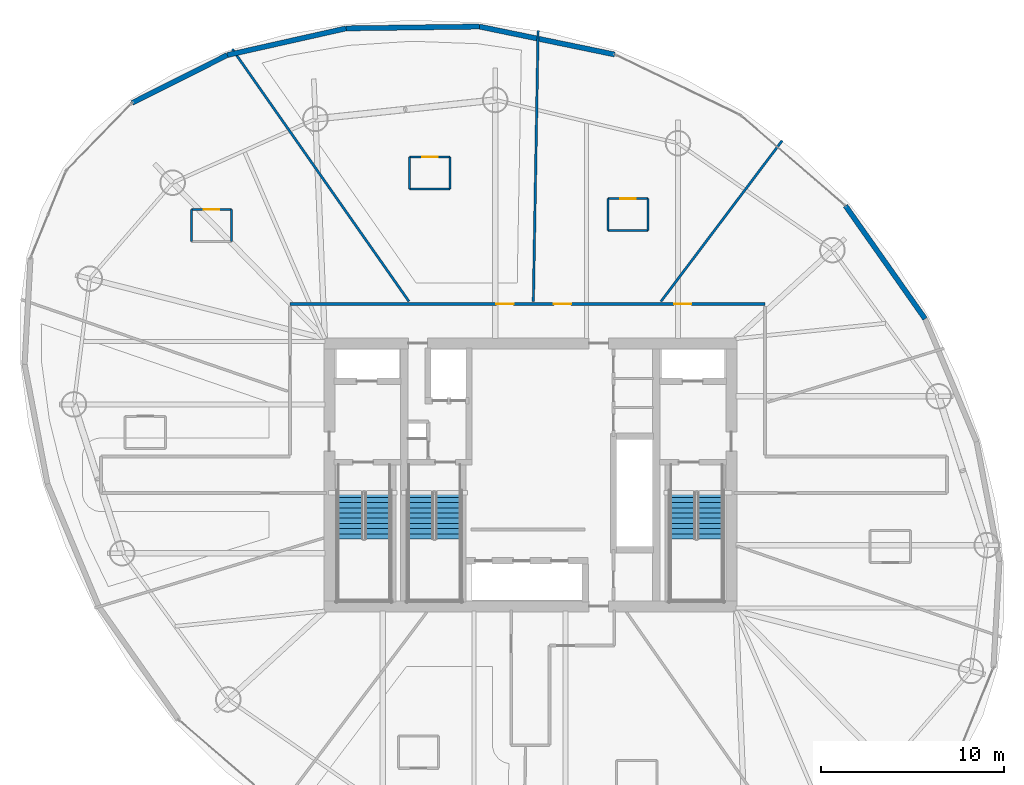
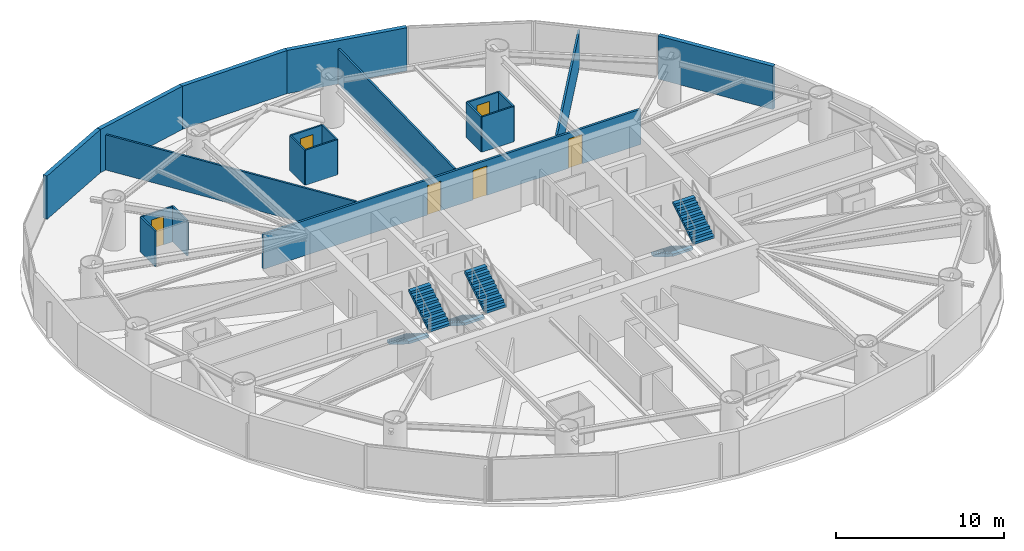
# One storey, part 18 of 21: 20 walls, 6 doors, 6 stair flights, 6 openings, 3 elements without a shape of their own.
"""IFC4 building model written with IfcOpenShell, lengths in metres."""

from ifc_helpers import new_model, si_unit, direction, frame, frame_2d, origin, place, context, subcontext, project, spatial, polyline, rectangle, outline, extrude, material, layer, layer_set, type_object, element, fill, aggregate, save


model = new_model("IFC4")

# Units and contexts
model_context = context("Model", 3, precision=1e-05, world=origin(), true_north=direction((0.0, 1.0)))
body_context = subcontext(model_context, "Body", "Model", "MODEL_VIEW")
ifc_project = project(units=[si_unit("LENGTHUNIT", "METRE"), si_unit("AREAUNIT", "SQUARE_METRE"), si_unit("VOLUMEUNIT", "CUBIC_METRE"), si_unit("PLANEANGLEUNIT", "RADIAN"), si_unit("MASSUNIT", "GRAM", prefix="KILO")], contexts=[model_context])

# Site, building, storey
site_placement = place(None, origin())
site = spatial("IfcSite", under=ifc_project, at=site_placement, CompositionType="ELEMENT")
building_placement = place(site_placement, origin())
building = spatial("IfcBuilding", under=site, at=building_placement, Name="Bramvorn Convention Spire", CompositionType="ELEMENT")
storey_placement = place(building_placement, frame((0.0, 0.0, 162.300048828125)))
storey = spatial("IfcBuildingStorey", under=building, at=storey_placement, Name="L41", CompositionType="ELEMENT", Elevation=162.300048828125)

# Walls
ifc_material_1 = material(Name="Precast Concrete C40/50 with Bronze Terracotta Rainscreen", Category="masonry")
ifc_layer_1 = layer(ifc_material_1, 0.300048828125)
ifc_layer_set_1 = layer_set([ifc_layer_1], Name="Precast Concrete C40/50 with Bronze Terracotta Rainscreen - WL-EXT-BRONZE-300")
wall_type_1 = type_object("IfcWallType", Name="WL-EXT-BRONZE-300", PredefinedType="SOLIDWALL", material=ifc_layer_set_1)
wall_1_placement = place(storey_placement, frame((55.25, 40.72509765625, 0.0), z_axis=(0.0, 0.0, 1.0), x_axis=(0.575733066799, -0.817637716715, 0.0)))
element("IfcWall", 1, at=wall_1_placement, inside=storey, type_object=wall_type_1, Name="L41 expressed bronze Gothic lancet pier wall 05", PredefinedType="SOLIDWALL", context=body_context, shape_type="SweptSolid", body=[
    extrude(rectangle(XDim=7.5693359375, YDim=0.280029296875, at=frame_2d((3.78466796875, 0.0))), origin(), (0.0, 0.0, 1.0), 3.14990234375),
])
wall_2_placement = place(storey_placement, frame((35.205078125, 50.535400390625, 0.0), z_axis=(0.0, 0.0, 1.0), x_axis=(0.979395914259, -0.201949605427, 0.0)))
element("IfcWall", 2, at=wall_2_placement, inside=storey, type_object=wall_type_1, Name="L41 expressed bronze Gothic lancet pier wall 08", PredefinedType="SOLIDWALL", context=body_context, shape_type="SweptSolid", body=[
    extrude(rectangle(XDim=7.569091796875, YDim=0.280029296875, at=frame_2d((3.78466796875, 0.0))), origin(), (0.0, 0.0, 1.0), 3.14990234375),
])
wall_3_placement = place(storey_placement, frame((27.913818359375, 50.4365234375, 0.0), z_axis=(0.0, 0.0, 1.0), x_axis=(0.999908061986, 0.013559777837, 0.0)))
element("IfcWall", 3, at=wall_3_placement, inside=storey, type_object=wall_type_1, Name="L41 expressed bronze Gothic lancet pier wall 09", PredefinedType="SOLIDWALL", context=body_context, shape_type="SweptSolid", body=[
    extrude(rectangle(XDim=7.2919921875, YDim=0.280029296875, at=frame_2d((3.64599609375, 0.0))), origin(), (0.0, 0.0, 1.0), 3.14990234375),
])
wall_4_placement = place(storey_placement, frame((21.410888671875, 48.9755859375, 0.0), z_axis=(0.0, 0.0, 1.0), x_axis=(0.975681090839, 0.219194910932, 0.0)))
element("IfcWall", 4, at=wall_4_placement, inside=storey, type_object=wall_type_1, Name="L41 expressed bronze Gothic lancet pier wall 10", PredefinedType="SOLIDWALL", context=body_context, shape_type="SweptSolid", body=[
    extrude(rectangle(XDim=6.6650390625, YDim=0.280029296875, at=frame_2d((3.33251953125, 0.0))), origin(), (0.0, 0.0, 1.0), 3.14990234375),
])
wall_5_placement = place(storey_placement, frame((16.209228515625, 46.358642578125, 0.0), z_axis=(0.0, 0.0, 1.0), x_axis=(0.893317552625, 0.449426023026, 0.0)))
element("IfcWall", 5, at=wall_5_placement, inside=storey, type_object=wall_type_1, Name="L41 expressed bronze Gothic lancet pier wall 11", PredefinedType="SOLIDWALL", context=body_context, shape_type="SweptSolid", body=[
    extrude(rectangle(XDim=5.82275390625, YDim=0.280029296875, at=frame_2d((2.911376953125, 0.0))), origin(), (0.0, 0.0, 1.0), 3.14990234375),
])
ifc_material_2 = material(Name="Lightweight En-Suite & Wet-Wall Partition", Category="gypsum")
ifc_layer_2 = layer(ifc_material_2, 0.110107421875)
ifc_layer_set_2 = layer_set([ifc_layer_2], Name="Lightweight En-Suite & Wet-Wall Partition - WL-PART-110")
wall_type_2 = type_object("IfcWallType", Name="WL-PART-110", PredefinedType="PARTITIONING", material=ifc_layer_set_2)
wall_6_placement = place(storey_placement, frame((42.23828125, 39.359619140625, 0.0), z_axis=(0.0, 0.0, 1.0), x_axis=(1.0, 0.0, 0.0)))
element("IfcWall", 6, at=wall_6_placement, inside=storey, type_object=wall_type_2, Name="Hotel Suite 4102 en-suite south wall", PredefinedType="PARTITIONING", context=body_context, shape_type="SweptSolid", body=[
    extrude(rectangle(XDim=2.199951171875, YDim=0.110107421875, at=frame_2d((1.10009765625, 0.0))), origin(), (0.0, 0.0, 1.0), 2.56494140625),
])

# Wall, opening, door
wall_7_placement = place(storey_placement, frame((42.23828125, 41.11962890625, 0.0), z_axis=(0.0, 0.0, 1.0), x_axis=(1.0, 0.0, 0.0)))
wall_7 = element("IfcWall", 7, at=wall_7_placement, inside=storey, type_object=wall_type_2, Name="Hotel Suite 4102 en-suite north wall", PredefinedType="PARTITIONING", context=body_context, shape_type="SweptSolid", body=[
    extrude(rectangle(XDim=2.199951171875, YDim=0.110107421875, at=frame_2d((1.10009765625, 0.0))), origin(), (0.0, 0.0, 1.0), 2.56494140625),
])
opening_1_placement = place(wall_7_placement, frame((0.679931640625, 0.0, 0.0)))
opening_1 = element("IfcOpeningElement", 8, at=opening_1_placement, cuts=wall_7, Name="Opening DI-085", PredefinedType="OPENING", context=body_context, shape_type="SweptSolid", body=[
    extrude(rectangle(XDim=0.85009765625, YDim=2.10009765625, at=frame_2d((0.425048828125, 1.050048828125))), frame((0.0, 0.06494140625, 0.0), z_axis=(0.0, -1.0, 0.0), x_axis=(1.0, 0.0, 0.0)), (0.0, 0.0, 1.0), 0.130126953125),
])
ifc_material_3 = material(Name="En-Suite & Restroom Privacy Door", Category="wood")
door_type_1 = type_object("IfcDoorType", Name="DR-INT-850", OperationType="NOTDEFINED", PredefinedType="DOOR", material=ifc_material_3)
door_1_placement = place(opening_1_placement, origin())
door_1 = element("IfcDoor", 9, at=door_1_placement, inside=storey, type_object=door_type_1, Name="Hotel Suite 4102 En-Suite Bathroom door", OperationType="SINGLE_SWING_LEFT", OverallHeight=2.10009765625, OverallWidth=0.85009765625, PredefinedType="DOOR", context=body_context, shape_type="SweptSolid", body=[
    extrude(rectangle(XDim=0.85009765625, YDim=2.10009765625, at=frame_2d((0.425048828125, 1.050048828125))), frame((0.0, 0.02490234375, 0.0), z_axis=(0.0, -1.0, 0.0), x_axis=(1.0, 0.0, 0.0)), (0.0, 0.0, 1.0), 0.050048828125),
])
fill(opening_1, door_1)

# Walls
for number, where, z_axis, x_axis, name in (
    (10, (42.23828125, 39.359619140625, 0.0), (0.0, 0.0, 1.0), (0.0, 1.0, 0.0), "Hotel Suite 4102 en-suite west wall"),
    (11, (44.438232421875, 39.359619140625, 0.0), (0.0, 0.0, 1.0), (0.0, 1.0, 0.0), "Hotel Suite 4102 en-suite east wall"),
):
    element("IfcWall", number, at=place(storey_placement, frame(where, z_axis=z_axis, x_axis=x_axis)), inside=storey, type_object=wall_type_2, Name=name, PredefinedType="PARTITIONING", context=body_context, shape_type="SweptSolid", body=[
        extrude(rectangle(XDim=1.760009765625, YDim=0.110107421875, at=frame_2d((0.8798828125, 0.0))), origin(), (0.0, 0.0, 1.0), 2.56494140625),
    ])
wall_8_placement = place(storey_placement, frame((31.393310546875, 41.638427734375, 0.0), z_axis=(0.0, 0.0, 1.0), x_axis=(1.0, 0.0, 0.0)))
element("IfcWall", 12, at=wall_8_placement, inside=storey, type_object=wall_type_2, Name="Hotel Suite 4103 en-suite south wall", PredefinedType="PARTITIONING", context=body_context, shape_type="SweptSolid", body=[
    extrude(rectangle(XDim=2.2001953125, YDim=0.110107421875, at=frame_2d((1.10009765625, 0.0))), origin(), (0.0, 0.0, 1.0), 2.56494140625),
])

# Wall, opening, door
wall_9_placement = place(storey_placement, frame((31.393310546875, 43.3984375, 0.0), z_axis=(0.0, 0.0, 1.0), x_axis=(1.0, 0.0, 0.0)))
wall_9 = element("IfcWall", 13, at=wall_9_placement, inside=storey, type_object=wall_type_2, Name="Hotel Suite 4103 en-suite north wall", PredefinedType="PARTITIONING", context=body_context, shape_type="SweptSolid", body=[
    extrude(rectangle(XDim=2.2001953125, YDim=0.110107421875, at=frame_2d((1.10009765625, 0.0))), origin(), (0.0, 0.0, 1.0), 2.56494140625),
])
opening_2_placement = place(wall_9_placement, frame((0.679931640625, 0.0, 0.0)))
opening_2 = element("IfcOpeningElement", 14, at=opening_2_placement, cuts=wall_9, Name="Opening DI-085", PredefinedType="OPENING", context=body_context, shape_type="SweptSolid", body=[
    extrude(rectangle(XDim=0.85009765625, YDim=2.10009765625, at=frame_2d((0.425048828125, 1.050048828125))), frame((0.0, 0.06494140625, 0.0), z_axis=(0.0, -1.0, 0.0), x_axis=(1.0, 0.0, 0.0)), (0.0, 0.0, 1.0), 0.130126953125),
])
door_2_placement = place(opening_2_placement, origin())
door_2 = element("IfcDoor", 15, at=door_2_placement, inside=storey, type_object=door_type_1, Name="Hotel Suite 4103 En-Suite Bathroom door", OperationType="SINGLE_SWING_LEFT", OverallHeight=2.10009765625, OverallWidth=0.85009765625, PredefinedType="DOOR", context=body_context, shape_type="SweptSolid", body=[
    extrude(rectangle(XDim=0.85009765625, YDim=2.10009765625, at=frame_2d((0.425048828125, 1.050048828125))), frame((0.0, 0.02490234375, 0.0), z_axis=(0.0, -1.0, 0.0), x_axis=(1.0, 0.0, 0.0)), (0.0, 0.0, 1.0), 0.050048828125),
])
fill(opening_2, door_2)

# Walls
for number, where, z_axis, x_axis, name in (
    (16, (31.393310546875, 41.638427734375, 0.0), (0.0, 0.0, 1.0), (0.0, 1.0, 0.0), "Hotel Suite 4103 en-suite west wall"),
    (17, (33.593505859375, 41.638427734375, 0.0), (0.0, 0.0, 1.0), (0.0, 1.0, 0.0), "Hotel Suite 4103 en-suite east wall"),
):
    element("IfcWall", number, at=place(storey_placement, frame(where, z_axis=z_axis, x_axis=x_axis)), inside=storey, type_object=wall_type_2, Name=name, PredefinedType="PARTITIONING", context=body_context, shape_type="SweptSolid", body=[
        extrude(rectangle(XDim=1.760009765625, YDim=0.110107421875, at=frame_2d((0.8798828125, 0.0))), origin(), (0.0, 0.0, 1.0), 2.56494140625),
    ])

# Wall, opening, door
wall_10_placement = place(storey_placement, frame((19.44384765625, 40.521484375, 0.0), z_axis=(0.0, 0.0, 1.0), x_axis=(1.0, 0.0, 0.0)))
wall_10 = element("IfcWall", 18, at=wall_10_placement, inside=storey, type_object=wall_type_2, Name="Hotel Suite 4104 en-suite north wall", PredefinedType="PARTITIONING", context=body_context, shape_type="SweptSolid", body=[
    extrude(rectangle(XDim=2.199951171875, YDim=0.110107421875, at=frame_2d((1.10009765625, 0.0))), origin(), (0.0, 0.0, 1.0), 2.56494140625),
])
opening_3_placement = place(wall_10_placement, frame((0.679931640625, 0.0, 0.0)))
opening_3 = element("IfcOpeningElement", 19, at=opening_3_placement, cuts=wall_10, Name="Opening DI-085", PredefinedType="OPENING", context=body_context, shape_type="SweptSolid", body=[
    extrude(rectangle(XDim=0.85009765625, YDim=2.10009765625, at=frame_2d((0.425048828125, 1.050048828125))), frame((0.0, 0.06494140625, 0.0), z_axis=(0.0, -1.0, 0.0), x_axis=(1.0, 0.0, 0.0)), (0.0, 0.0, 1.0), 0.130126953125),
])
door_3_placement = place(opening_3_placement, origin())
door_3 = element("IfcDoor", 20, at=door_3_placement, inside=storey, type_object=door_type_1, Name="Hotel Suite 4104 En-Suite Bathroom door", OperationType="SINGLE_SWING_LEFT", OverallHeight=2.10009765625, OverallWidth=0.85009765625, PredefinedType="DOOR", context=body_context, shape_type="SweptSolid", body=[
    extrude(rectangle(XDim=0.85009765625, YDim=2.10009765625, at=frame_2d((0.425048828125, 1.050048828125))), frame((0.0, 0.02490234375, 0.0), z_axis=(0.0, -1.0, 0.0), x_axis=(1.0, 0.0, 0.0)), (0.0, 0.0, 1.0), 0.050048828125),
])
fill(opening_3, door_3)

# Walls
for number, where, z_axis, x_axis, name in (
    (21, (19.44384765625, 38.761474609375, 0.0), (0.0, 0.0, 1.0), (0.0, 1.0, 0.0), "Hotel Suite 4104 en-suite west wall"),
    (22, (21.643798828125, 38.761474609375, 0.0), (0.0, 0.0, 1.0), (0.0, 1.0, 0.0), "Hotel Suite 4104 en-suite east wall"),
):
    element("IfcWall", number, at=place(storey_placement, frame(where, z_axis=z_axis, x_axis=x_axis)), inside=storey, type_object=wall_type_2, Name=name, PredefinedType="PARTITIONING", context=body_context, shape_type="SweptSolid", body=[
        extrude(rectangle(XDim=1.760009765625, YDim=0.110107421875, at=frame_2d((0.8798828125, 0.0))), origin(), (0.0, 0.0, 1.0), 2.56494140625),
    ])
ifc_material_4 = material(Name="Metal-Stud Demountable Office Partition", Category="gypsum")
ifc_layer_3 = layer(ifc_material_4, 0.1298828125)
ifc_layer_set_3 = layer_set([ifc_layer_3], Name="Metal-Stud Demountable Office Partition - WL-PART-130")
wall_type_3 = type_object("IfcWallType", Name="WL-PART-130", PredefinedType="PARTITIONING", material=ifc_layer_set_3)
wall_11_placement = place(storey_placement, frame((45.151123046875, 35.489990234375, 0.0), z_axis=(0.0, 0.0, 1.0), x_axis=(0.60181625772, 0.798634579732, 0.0)))
element("IfcWall", 23, at=wall_11_placement, inside=storey, type_object=wall_type_3, Name="L41 Guestroom demising wall 2", PredefinedType="PARTITIONING", context=body_context, shape_type="SweptSolid", body=[
    extrude(rectangle(XDim=11.023681640625, YDim=0.1298828125, at=frame_2d((5.51171875, 0.0))), origin(), (0.0, 0.0, 1.0), 2.56494140625),
])
wall_12_placement = place(storey_placement, frame((38.16552734375, 35.489990234375, 0.0), z_axis=(0.0, 0.0, 1.0), x_axis=(0.017454889407, 0.999847651813, 0.0)))
element("IfcWall", 24, at=wall_12_placement, inside=storey, type_object=wall_type_3, Name="L41 Guestroom demising wall 3", PredefinedType="PARTITIONING", context=body_context, shape_type="SweptSolid", body=[
    extrude(rectangle(XDim=14.840087890625, YDim=0.1298828125, at=frame_2d((7.419921875, 0.0))), origin(), (0.0, 0.0, 1.0), 2.56494140625),
])
wall_13_placement = place(storey_placement, frame((31.35498046875, 35.489990234375, 0.0), z_axis=(0.0, 0.0, 1.0), x_axis=(-0.573576982677, 0.819151661747, 0.0)))
element("IfcWall", 25, at=wall_13_placement, inside=storey, type_object=wall_type_3, Name="L41 Guestroom demising wall 4", PredefinedType="PARTITIONING", context=body_context, shape_type="SweptSolid", body=[
    extrude(rectangle(XDim=16.864990234375, YDim=0.1298828125, at=frame_2d((8.4326171875, 0.0))), origin(), (0.0, 0.0, 1.0), 2.56494140625),
])

# Wall, openings, doors
ifc_material_5 = material(Name="Acoustic Metal-Stud Tenant/Corridor Partition", Category="gypsum")
ifc_layer_4 = layer(ifc_material_5, 0.14990234375)
ifc_layer_set_4 = layer_set([ifc_layer_4], Name="Acoustic Metal-Stud Tenant/Corridor Partition - WL-PART-150")
wall_type_4 = type_object("IfcWallType", Name="WL-PART-150", PredefinedType="PARTITIONING", material=ifc_layer_set_4)
wall_14_placement = place(storey_placement, frame((24.85009765625, 35.35009765625, 0.0), z_axis=(0.0, 0.0, 1.0), x_axis=(1.0, 0.0, 0.0)))
wall_14 = element("IfcWall", 26, at=wall_14_placement, inside=storey, type_object=wall_type_4, Name="L41 North gallery wall", PredefinedType="PARTITIONING", context=body_context, shape_type="SweptSolid", body=[
    extrude(rectangle(XDim=26.0, YDim=0.14990234375, at=frame_2d((13.0, 0.0))), origin(), (0.0, 0.0, 1.0), 2.56494140625),
])
opening_4_placement = place(wall_14_placement, frame((21.017333984375, 0.0, 0.0)))
opening_4 = element("IfcOpeningElement", 27, at=opening_4_placement, cuts=wall_14, Name="Opening DH-095", PredefinedType="OPENING", context=body_context, shape_type="SweptSolid", body=[
    extrude(rectangle(XDim=0.949951171875, YDim=2.14990234375, at=frame_2d((0.47509765625, 1.074951171875))), frame((0.0, 0.0849609375, 0.0), z_axis=(0.0, -1.0, 0.0), x_axis=(1.0, 0.0, 0.0)), (0.0, 0.0, 1.0), 0.169921875),
])
opening_5_placement = place(wall_14_placement, frame((14.438232421875, 0.0, 0.0)))
opening_5 = element("IfcOpeningElement", 28, at=opening_5_placement, cuts=wall_14, Name="Opening DH-095", PredefinedType="OPENING", context=body_context, shape_type="SweptSolid", body=[
    extrude(rectangle(XDim=0.949951171875, YDim=2.14990234375, at=frame_2d((0.47509765625, 1.074951171875))), frame((0.0, 0.0849609375, 0.0), z_axis=(0.0, -1.0, 0.0), x_axis=(1.0, 0.0, 0.0)), (0.0, 0.0, 1.0), 0.169921875),
])
opening_6_placement = place(wall_14_placement, frame((11.286865234375, 0.0, 0.0)))
opening_6 = element("IfcOpeningElement", 29, at=opening_6_placement, cuts=wall_14, Name="Opening DH-095", PredefinedType="OPENING", context=body_context, shape_type="SweptSolid", body=[
    extrude(rectangle(XDim=0.949951171875, YDim=2.14990234375, at=frame_2d((0.47509765625, 1.074951171875))), frame((0.0, 0.0849609375, 0.0), z_axis=(0.0, -1.0, 0.0), x_axis=(1.0, 0.0, 0.0)), (0.0, 0.0, 1.0), 0.169921875),
])
ifc_material_6 = material(Name="Solid-Core Acoustic Guestroom Entry Door", Category="wood")
door_type_2 = type_object("IfcDoorType", Name="DR-HOTEL-950", OperationType="NOTDEFINED", PredefinedType="DOOR", material=ifc_material_6)
door_4_placement = place(opening_4_placement, origin())
door_4 = element("IfcDoor", 30, at=door_4_placement, inside=storey, type_object=door_type_2, Name="L41 Hospitality Lounge 1 door", OperationType="SINGLE_SWING_LEFT", OverallHeight=2.14990234375, OverallWidth=0.949951171875, PredefinedType="DOOR", context=body_context, shape_type="SweptSolid", body=[
    extrude(rectangle(XDim=0.949951171875, YDim=2.14990234375, at=frame_2d((0.47509765625, 1.074951171875))), frame((0.0, 0.02490234375, 0.0), z_axis=(0.0, -1.0, 0.0), x_axis=(1.0, 0.0, 0.0)), (0.0, 0.0, 1.0), 0.050048828125),
])
fill(opening_4, door_4)
door_5_placement = place(opening_5_placement, origin())
door_5 = element("IfcDoor", 31, at=door_5_placement, inside=storey, type_object=door_type_2, Name="Hotel Suite 4102 entry door", OperationType="SINGLE_SWING_RIGHT", OverallHeight=2.14990234375, OverallWidth=0.949951171875, PredefinedType="DOOR", context=body_context, shape_type="SweptSolid", body=[
    extrude(rectangle(XDim=0.949951171875, YDim=2.14990234375, at=frame_2d((0.47509765625, 1.074951171875))), frame((0.0, 0.02490234375, 0.0), z_axis=(0.0, -1.0, 0.0), x_axis=(1.0, 0.0, 0.0)), (0.0, 0.0, 1.0), 0.050048828125),
])
fill(opening_5, door_5)
door_6_placement = place(opening_6_placement, origin())
door_6 = element("IfcDoor", 32, at=door_6_placement, inside=storey, type_object=door_type_2, Name="Hotel Suite 4103 entry door", OperationType="SINGLE_SWING_LEFT", OverallHeight=2.14990234375, OverallWidth=0.949951171875, PredefinedType="DOOR", context=body_context, shape_type="SweptSolid", body=[
    extrude(rectangle(XDim=0.949951171875, YDim=2.14990234375, at=frame_2d((0.47509765625, 1.074951171875))), frame((0.0, 0.02490234375, 0.0), z_axis=(0.0, -1.0, 0.0), x_axis=(1.0, 0.0, 0.0)), (0.0, 0.0, 1.0), 0.050048828125),
])
fill(opening_6, door_6)

# Stair, stair flights
ifc_material_7 = material(Name="Concrete C40/50 Precast Stair", Category="concrete")
stair_type = type_object("IfcStairType", Name="ST-TOWER-1550", PredefinedType="HALF_TURN_STAIR", material=ifc_material_7)
stair_1_placement = place(storey_placement, origin())
stair_1 = element("IfcStair", 33, at=stair_1_placement, inside=storey, type_object=stair_type, Name="L41 Protected Exit Stair ST1", PredefinedType="HALF_TURN_STAIR")
ifc_material_8 = material(Name="Concrete C40/50 Precast Stair Flight", Category="concrete")
stair_flight_type = type_object("IfcStairFlightType", Name="STF-TOWER-1550", PredefinedType="STRAIGHT", material=ifc_material_8)
stair_flight_1_placement = place(storey_placement, frame((28.155029296875, 25.050048828125, 0.0), z_axis=(0.0, 0.0, 1.0), x_axis=(0.0, -1.0, 0.0)))
stair_flight_1 = element("IfcStairFlight", 34, at=stair_flight_1_placement, type_object=stair_flight_type, Name="ST1 flight 1", NumberOfRisers=10, NumberOfTreads=9, PredefinedType="STRAIGHT", RiserHeight=0.175, TreadLength=0.285, context=body_context, shape_type="SweptSolid", body=[
    extrude(outline(polyline([(0.0, 0.0), (0.0, 0.175048828125), (0.284912109375, 0.175048828125), (0.284912109375, 0.35009765625), (0.570068359375, 0.35009765625), (0.570068359375, 0.52490234375), (0.85498046875, 0.52490234375), (0.85498046875, 0.699951171875), (1.139892578125, 0.699951171875), (1.139892578125, 0.875), (1.425048828125, 0.875), (1.425048828125, 1.050048828125), (1.7099609375, 1.050048828125), (1.7099609375, 1.22509765625), (1.9951171875, 1.22509765625), (1.9951171875, 1.39990234375), (2.280029296875, 1.39990234375), (2.280029296875, 1.574951171875), (2.56494140625, 1.574951171875), (2.56494140625, 1.75), (2.56494140625, 1.399169921875), (0.286376953125, 0.0), (0.0, 0.0)])), frame((0.0, 0.705078125, 0.0), z_axis=(0.0, -1.0, 0.0), x_axis=(1.0, 0.0, 0.0)), (0.0, 0.0, 1.0), 1.409912109375),
])
stair_flight_2_placement = place(storey_placement, frame((29.64501953125, 22.485107421875, 1.75), z_axis=(0.0, 0.0, 1.0), x_axis=(0.0, 1.0, 0.0)))
stair_flight_2 = element("IfcStairFlight", 35, at=stair_flight_2_placement, type_object=stair_flight_type, Name="ST1 flight 2", NumberOfRisers=10, NumberOfTreads=9, PredefinedType="STRAIGHT", RiserHeight=0.175, TreadLength=0.285, context=body_context, shape_type="SweptSolid", body=[
    extrude(outline(polyline([(0.0, 0.0), (0.0, 0.175048828125), (0.284912109375, 0.175048828125), (0.284912109375, 0.35009765625), (0.570068359375, 0.35009765625), (0.570068359375, 0.52490234375), (0.85498046875, 0.52490234375), (0.85498046875, 0.699951171875), (1.139892578125, 0.699951171875), (1.139892578125, 0.875), (1.425048828125, 0.875), (1.425048828125, 1.050048828125), (1.7099609375, 1.050048828125), (1.7099609375, 1.22509765625), (1.9951171875, 1.22509765625), (1.9951171875, 1.39990234375), (2.280029296875, 1.39990234375), (2.280029296875, 1.574951171875), (2.56494140625, 1.574951171875), (2.56494140625, 1.75), (2.56494140625, 1.399169921875), (0.286376953125, 0.0), (0.0, 0.0)])), frame((0.0, 0.705078125, 0.0), z_axis=(0.0, -1.0, 0.0), x_axis=(1.0, 0.0, 0.0)), (0.0, 0.0, 1.0), 1.409912109375),
])
aggregate(stair_1, [stair_flight_1, stair_flight_2])

stair_2_placement = place(storey_placement, origin())
stair_2 = element("IfcStair", 36, at=stair_2_placement, inside=storey, type_object=stair_type, Name="L41 Protected Exit Stair ST2", PredefinedType="HALF_TURN_STAIR")
stair_flight_3_placement = place(storey_placement, frame((46.35498046875, 25.050048828125, 0.0), z_axis=(0.0, 0.0, 1.0), x_axis=(0.0, -1.0, 0.0)))
stair_flight_3 = element("IfcStairFlight", 37, at=stair_flight_3_placement, type_object=stair_flight_type, Name="ST2 flight 1", NumberOfRisers=10, NumberOfTreads=9, PredefinedType="STRAIGHT", RiserHeight=0.175, TreadLength=0.285, context=body_context, shape_type="SweptSolid", body=[
    extrude(outline(polyline([(0.0, 0.0), (0.0, 0.175048828125), (0.284912109375, 0.175048828125), (0.284912109375, 0.35009765625), (0.570068359375, 0.35009765625), (0.570068359375, 0.52490234375), (0.85498046875, 0.52490234375), (0.85498046875, 0.699951171875), (1.139892578125, 0.699951171875), (1.139892578125, 0.875), (1.425048828125, 0.875), (1.425048828125, 1.050048828125), (1.7099609375, 1.050048828125), (1.7099609375, 1.22509765625), (1.9951171875, 1.22509765625), (1.9951171875, 1.39990234375), (2.280029296875, 1.39990234375), (2.280029296875, 1.574951171875), (2.56494140625, 1.574951171875), (2.56494140625, 1.75), (2.56494140625, 1.399169921875), (0.286376953125, 0.0), (0.0, 0.0)])), frame((0.0, 0.705078125, 0.0), z_axis=(0.0, -1.0, 0.0), x_axis=(1.0, 0.0, 0.0)), (0.0, 0.0, 1.0), 1.409912109375),
])
stair_flight_4_placement = place(storey_placement, frame((47.844970703125, 22.485107421875, 1.75), z_axis=(0.0, 0.0, 1.0), x_axis=(0.0, 1.0, 0.0)))
stair_flight_4 = element("IfcStairFlight", 38, at=stair_flight_4_placement, type_object=stair_flight_type, Name="ST2 flight 2", NumberOfRisers=10, NumberOfTreads=9, PredefinedType="STRAIGHT", RiserHeight=0.175, TreadLength=0.285, context=body_context, shape_type="SweptSolid", body=[
    extrude(outline(polyline([(0.0, 0.0), (0.0, 0.175048828125), (0.284912109375, 0.175048828125), (0.284912109375, 0.35009765625), (0.570068359375, 0.35009765625), (0.570068359375, 0.52490234375), (0.85498046875, 0.52490234375), (0.85498046875, 0.699951171875), (1.139892578125, 0.699951171875), (1.139892578125, 0.875), (1.425048828125, 0.875), (1.425048828125, 1.050048828125), (1.7099609375, 1.050048828125), (1.7099609375, 1.22509765625), (1.9951171875, 1.22509765625), (1.9951171875, 1.39990234375), (2.280029296875, 1.39990234375), (2.280029296875, 1.574951171875), (2.56494140625, 1.574951171875), (2.56494140625, 1.75), (2.56494140625, 1.399169921875), (0.286376953125, 0.0), (0.0, 0.0)])), frame((0.0, 0.705078125, 0.0), z_axis=(0.0, -1.0, 0.0), x_axis=(1.0, 0.0, 0.0)), (0.0, 0.0, 1.0), 1.409912109375),
])
aggregate(stair_2, [stair_flight_3, stair_flight_4])

stair_3_placement = place(storey_placement, origin())
stair_3 = element("IfcStair", 39, at=stair_3_placement, inside=storey, type_object=stair_type, Name="L41 Protected Exit Stair ST3", PredefinedType="HALF_TURN_STAIR")
stair_flight_5_placement = place(storey_placement, frame((32.0048828125, 25.050048828125, 0.0), z_axis=(0.0, 0.0, 1.0), x_axis=(0.0, -1.0, 0.0)))
stair_flight_5 = element("IfcStairFlight", 40, at=stair_flight_5_placement, type_object=stair_flight_type, Name="ST3 flight 1", NumberOfRisers=10, NumberOfTreads=9, PredefinedType="STRAIGHT", RiserHeight=0.175, TreadLength=0.285, context=body_context, shape_type="SweptSolid", body=[
    extrude(outline(polyline([(0.0, 0.0), (0.0, 0.175048828125), (0.284912109375, 0.175048828125), (0.284912109375, 0.35009765625), (0.570068359375, 0.35009765625), (0.570068359375, 0.52490234375), (0.85498046875, 0.52490234375), (0.85498046875, 0.699951171875), (1.139892578125, 0.699951171875), (1.139892578125, 0.875), (1.425048828125, 0.875), (1.425048828125, 1.050048828125), (1.7099609375, 1.050048828125), (1.7099609375, 1.22509765625), (1.9951171875, 1.22509765625), (1.9951171875, 1.39990234375), (2.280029296875, 1.39990234375), (2.280029296875, 1.574951171875), (2.56494140625, 1.574951171875), (2.56494140625, 1.75), (2.56494140625, 1.399169921875), (0.286376953125, 0.0), (0.0, 0.0)])), frame((0.0, 0.705078125, 0.0), z_axis=(0.0, -1.0, 0.0), x_axis=(1.0, 0.0, 0.0)), (0.0, 0.0, 1.0), 1.409912109375),
])
stair_flight_6_placement = place(storey_placement, frame((33.4951171875, 22.485107421875, 1.75), z_axis=(0.0, 0.0, 1.0), x_axis=(0.0, 1.0, 0.0)))
stair_flight_6 = element("IfcStairFlight", 41, at=stair_flight_6_placement, type_object=stair_flight_type, Name="ST3 flight 2", NumberOfRisers=10, NumberOfTreads=9, PredefinedType="STRAIGHT", RiserHeight=0.175, TreadLength=0.285, context=body_context, shape_type="SweptSolid", body=[
    extrude(outline(polyline([(0.0, 0.0), (0.0, 0.175048828125), (0.284912109375, 0.175048828125), (0.284912109375, 0.35009765625), (0.570068359375, 0.35009765625), (0.570068359375, 0.52490234375), (0.85498046875, 0.52490234375), (0.85498046875, 0.699951171875), (1.139892578125, 0.699951171875), (1.139892578125, 0.875), (1.425048828125, 0.875), (1.425048828125, 1.050048828125), (1.7099609375, 1.050048828125), (1.7099609375, 1.22509765625), (1.9951171875, 1.22509765625), (1.9951171875, 1.39990234375), (2.280029296875, 1.39990234375), (2.280029296875, 1.574951171875), (2.56494140625, 1.574951171875), (2.56494140625, 1.75), (2.56494140625, 1.399169921875), (0.286376953125, 0.0), (0.0, 0.0)])), frame((0.0, 0.705078125, 0.0), z_axis=(0.0, -1.0, 0.0), x_axis=(1.0, 0.0, 0.0)), (0.0, 0.0, 1.0), 1.409912109375),
])
aggregate(stair_3, [stair_flight_5, stair_flight_6])

save(model, "model.ifc")
